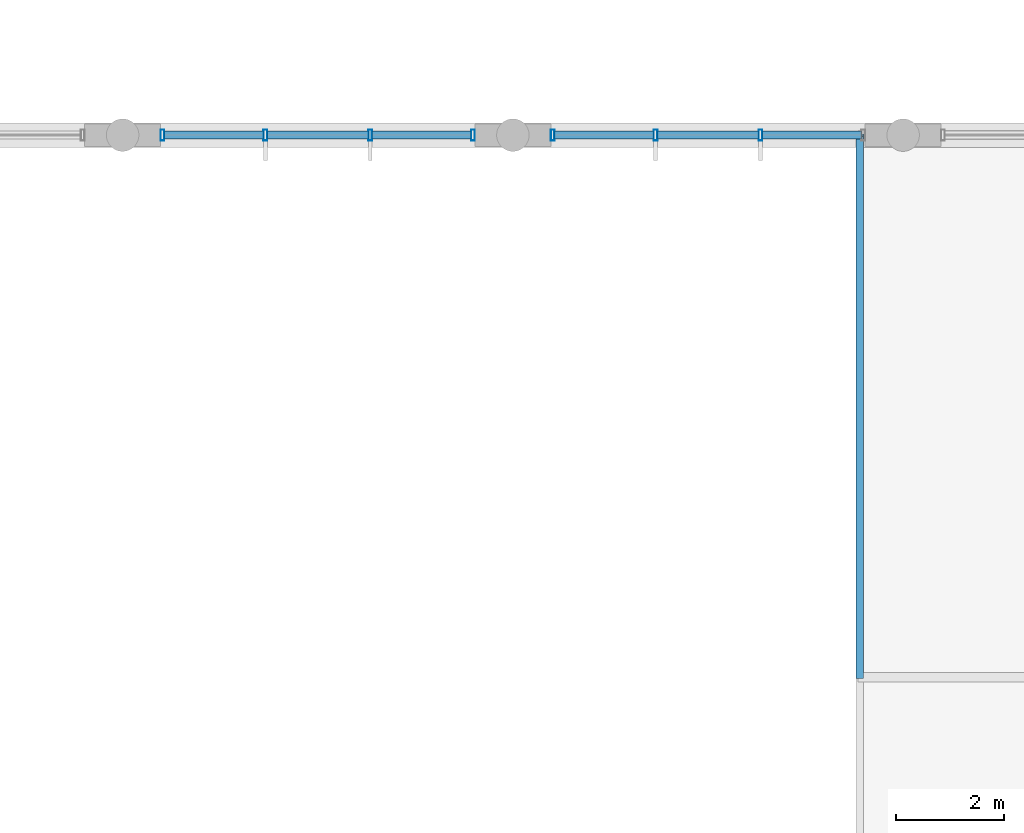
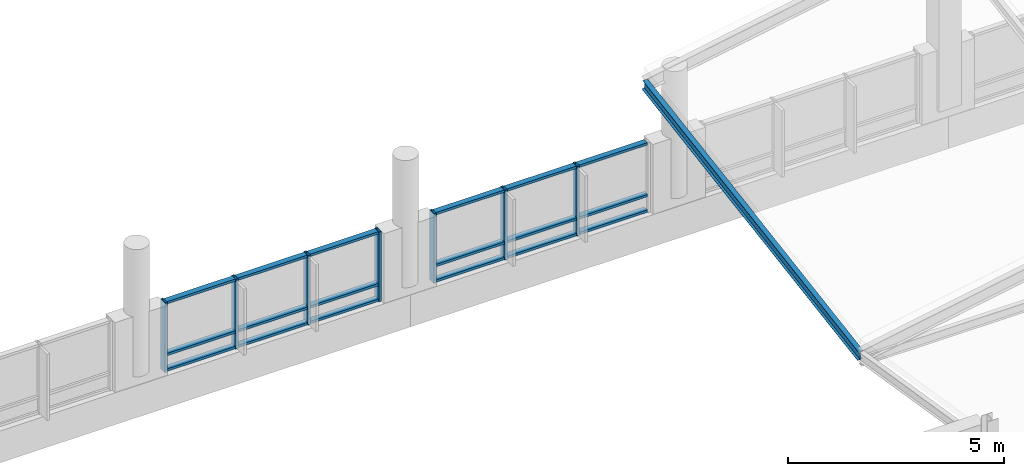
# One storey, part 47 of 189: 26 members, 2 elements without a shape of their own.
"""IFC4 building model written with IfcOpenShell, lengths in metres."""

from ifc_helpers import new_model, si_unit, direction, frame, origin, origin_2d, place, context, subcontext, project, spatial, hollow_rectangle, i_section, extrude, material, material_profile, profile_set, type_object, element, aggregate, save


model = new_model("IFC4")

# Units and contexts
model_context = context("Model", 3, precision=1e-05, world=origin(), true_north=direction((0.0, 1.0)))
body_context = subcontext(model_context, "Body", "Model", "MODEL_VIEW")
ifc_project = project(units=[si_unit("LENGTHUNIT", "METRE"), si_unit("AREAUNIT", "SQUARE_METRE"), si_unit("VOLUMEUNIT", "CUBIC_METRE"), si_unit("PLANEANGLEUNIT", "RADIAN"), si_unit("MASSUNIT", "GRAM", prefix="KILO")], contexts=[model_context])

# Site, building, storey
site_placement = place(None, origin())
site = spatial("IfcSite", under=ifc_project, at=site_placement, CompositionType="ELEMENT")
building_placement = place(site_placement, origin())
building = spatial("IfcBuilding", under=site, at=building_placement, Name="Zavelmont Quarter", CompositionType="ELEMENT")
storey_placement = place(building_placement, frame((0.0, 0.0, 4.39990234375)))
storey = spatial("IfcBuildingStorey", under=building, at=storey_placement, Name="L01", CompositionType="ELEMENT", Elevation=4.39990234375)

# Curtain wall, members
ifc_material_1 = material(Name="Thermally broken aluminium and double low-E safety glazing", Category="aluminium")
curtain_wall_type = type_object("IfcCurtainWallType", Name="CW-580X198", PredefinedType="NOTDEFINED", material=ifc_material_1)
curtain_wall_1_placement = place(storey_placement, origin())
curtain_wall_1 = element("IfcCurtainWall", 1, at=curtain_wall_1_placement, inside=storey, type_object=curtain_wall_type, Name="L01 unitised curtain wall CW-580X198", PredefinedType="NOTDEFINED")
ifc_material_2 = material(Name="Powder-coated aluminium EN AW-6063-T6", Category="aluminium")
ifc_material_profile_1 = material_profile(ifc_material_2, hollow_rectangle(XDim=0.070068359375, YDim=0.199951171875, WallThickness=0.0048828125, at=origin_2d()), Name="CWM70X200")
ifc_profile_set_1 = profile_set([ifc_material_profile_1], Name="Powder-coated aluminium EN AW-6063-T6")
member_type_1 = type_object("IfcMemberType", Name="CWM02", PredefinedType="MULLION", material=ifc_profile_set_1)
member_1_placement = place(storey_placement, frame((63.135009765625, 30.0, -0.27978515625), z_axis=(0.0, 0.0, 1.0), x_axis=(1.0, 0.0, 0.0)))
member_1 = element("IfcMember", 2, at=member_1_placement, type_object=member_type_1, Name="CW-580X198 mullion 1", PredefinedType="MULLION", context=body_context, shape_type="SweptSolid", body=[
    extrude(hollow_rectangle(XDim=0.070068359375, YDim=0.199951171875, WallThickness=0.0048828125, at=origin_2d()), origin(), (0.0, 0.0, 1.0), 1.974853515625),
])
member_2_placement = place(storey_placement, frame((65.033447265625, 30.0, -0.27978515625), z_axis=(0.0, 0.0, 1.0), x_axis=(1.0, 0.0, 0.0)))
member_2 = element("IfcMember", 3, at=member_2_placement, type_object=member_type_1, Name="CW-580X198 mullion 2", PredefinedType="MULLION", context=body_context, shape_type="SweptSolid", body=[
    extrude(hollow_rectangle(XDim=0.070068359375, YDim=0.199951171875, WallThickness=0.0048828125, at=origin_2d()), origin(), (0.0, 0.0, 1.0), 1.974853515625),
])
member_3_placement = place(storey_placement, frame((66.966552734375, 30.0, -0.27978515625), z_axis=(0.0, 0.0, 1.0), x_axis=(1.0, 0.0, 0.0)))
member_3 = element("IfcMember", 4, at=member_3_placement, type_object=member_type_1, Name="CW-580X198 mullion 3", PredefinedType="MULLION", context=body_context, shape_type="SweptSolid", body=[
    extrude(hollow_rectangle(XDim=0.070068359375, YDim=0.199951171875, WallThickness=0.0048828125, at=origin_2d()), origin(), (0.0, 0.0, 1.0), 1.974853515625),
])
member_4_placement = place(storey_placement, frame((68.864990234375, 30.0, -0.27978515625), z_axis=(0.0, 0.0, 1.0), x_axis=(1.0, 0.0, 0.0)))
member_4 = element("IfcMember", 5, at=member_4_placement, type_object=member_type_1, Name="CW-580X198 mullion 4", PredefinedType="MULLION", context=body_context, shape_type="SweptSolid", body=[
    extrude(hollow_rectangle(XDim=0.070068359375, YDim=0.199951171875, WallThickness=0.0048828125, at=origin_2d()), origin(), (0.0, 0.0, 1.0), 1.974853515625),
])

curtain_wall_2_placement = place(storey_placement, origin())
curtain_wall_2 = element("IfcCurtainWall", 6, at=curtain_wall_2_placement, inside=storey, type_object=curtain_wall_type, Name="L01 unitised curtain wall CW-580X198", PredefinedType="NOTDEFINED")
member_5_placement = place(storey_placement, frame((70.3349609375, 30.0, -0.27978515625), z_axis=(0.0, 0.0, 1.0), x_axis=(1.0, 0.0, 0.0)))
member_5 = element("IfcMember", 7, at=member_5_placement, type_object=member_type_1, Name="CW-580X198 mullion 1", PredefinedType="MULLION", context=body_context, shape_type="SweptSolid", body=[
    extrude(hollow_rectangle(XDim=0.070068359375, YDim=0.199951171875, WallThickness=0.0048828125, at=origin_2d()), origin(), (0.0, 0.0, 1.0), 1.974853515625),
])
member_6_placement = place(storey_placement, frame((72.2333984375, 30.0, -0.27978515625), z_axis=(0.0, 0.0, 1.0), x_axis=(1.0, 0.0, 0.0)))
member_6 = element("IfcMember", 8, at=member_6_placement, type_object=member_type_1, Name="CW-580X198 mullion 2", PredefinedType="MULLION", context=body_context, shape_type="SweptSolid", body=[
    extrude(hollow_rectangle(XDim=0.070068359375, YDim=0.199951171875, WallThickness=0.0048828125, at=origin_2d()), origin(), (0.0, 0.0, 1.0), 1.974853515625),
])
member_7_placement = place(storey_placement, frame((74.166748046875, 30.0, -0.27978515625), z_axis=(0.0, 0.0, 1.0), x_axis=(1.0, 0.0, 0.0)))
member_7 = element("IfcMember", 9, at=member_7_placement, type_object=member_type_1, Name="CW-580X198 mullion 3", PredefinedType="MULLION", context=body_context, shape_type="SweptSolid", body=[
    extrude(hollow_rectangle(XDim=0.070068359375, YDim=0.199951171875, WallThickness=0.0048828125, at=origin_2d()), origin(), (0.0, 0.0, 1.0), 1.974853515625),
])

# Member
ifc_material_profile_2 = material_profile(ifc_material_2, hollow_rectangle(XDim=0.14990234375, YDim=0.070068359375, WallThickness=0.00439453125, at=origin_2d()), Name="CWT70X150")
ifc_profile_set_2 = profile_set([ifc_material_profile_2], Name="Powder-coated aluminium EN AW-6063-T6")
member_type_2 = type_object("IfcMemberType", Name="CWT02", PredefinedType="NOTDEFINED", material=ifc_profile_set_2)
member_8_placement = place(storey_placement, frame((63.169921875, 30.0, -0.244873046875), z_axis=(1.0, 0.0, 0.0), x_axis=(0.0, 1.0, 0.0)))
member_8 = element("IfcMember", 10, at=member_8_placement, type_object=member_type_2, Name="CW-580X198 transom 1.1", ObjectType="TRANSOM", PredefinedType="USERDEFINED", context=body_context, shape_type="SweptSolid", body=[
    extrude(hollow_rectangle(XDim=0.14990234375, YDim=0.070068359375, WallThickness=0.00439453125, at=origin_2d()), origin(), (0.0, 0.0, 1.0), 1.828369140625),
])

member_9_placement = place(storey_placement, frame((63.169921875, 30.0, 0.194091796875), z_axis=(1.0, 0.0, 0.0), x_axis=(0.0, 1.0, 0.0)))
member_9 = element("IfcMember", 11, at=member_9_placement, type_object=member_type_2, Name="CW-580X198 transom 1.2", ObjectType="TRANSOM", PredefinedType="USERDEFINED", context=body_context, shape_type="SweptSolid", body=[
    extrude(hollow_rectangle(XDim=0.14990234375, YDim=0.070068359375, WallThickness=0.00439453125, at=origin_2d()), origin(), (0.0, 0.0, 1.0), 1.828369140625),
])

member_10_placement = place(storey_placement, frame((63.169921875, 30.0, 1.66015625), z_axis=(1.0, 0.0, 0.0), x_axis=(0.0, 1.0, 0.0)))
member_10 = element("IfcMember", 12, at=member_10_placement, type_object=member_type_2, Name="CW-580X198 transom 1.3", ObjectType="TRANSOM", PredefinedType="USERDEFINED", context=body_context, shape_type="SweptSolid", body=[
    extrude(hollow_rectangle(XDim=0.14990234375, YDim=0.070068359375, WallThickness=0.00439453125, at=origin_2d()), origin(), (0.0, 0.0, 1.0), 1.828369140625),
])

member_11_placement = place(storey_placement, frame((65.068359375, 30.0, -0.244873046875), z_axis=(1.0, 0.0, 0.0), x_axis=(0.0, 1.0, 0.0)))
member_11 = element("IfcMember", 13, at=member_11_placement, type_object=member_type_2, Name="CW-580X198 transom 2.1", ObjectType="TRANSOM", PredefinedType="USERDEFINED", context=body_context, shape_type="SweptSolid", body=[
    extrude(hollow_rectangle(XDim=0.14990234375, YDim=0.070068359375, WallThickness=0.00439453125, at=origin_2d()), origin(), (0.0, 0.0, 1.0), 1.86328125),
])

member_12_placement = place(storey_placement, frame((65.068359375, 30.0, 0.194091796875), z_axis=(1.0, 0.0, 0.0), x_axis=(0.0, 1.0, 0.0)))
member_12 = element("IfcMember", 14, at=member_12_placement, type_object=member_type_2, Name="CW-580X198 transom 2.2", ObjectType="TRANSOM", PredefinedType="USERDEFINED", context=body_context, shape_type="SweptSolid", body=[
    extrude(hollow_rectangle(XDim=0.14990234375, YDim=0.070068359375, WallThickness=0.00439453125, at=origin_2d()), origin(), (0.0, 0.0, 1.0), 1.86328125),
])

member_13_placement = place(storey_placement, frame((65.068359375, 30.0, 1.66015625), z_axis=(1.0, 0.0, 0.0), x_axis=(0.0, 1.0, 0.0)))
member_13 = element("IfcMember", 15, at=member_13_placement, type_object=member_type_2, Name="CW-580X198 transom 2.3", ObjectType="TRANSOM", PredefinedType="USERDEFINED", context=body_context, shape_type="SweptSolid", body=[
    extrude(hollow_rectangle(XDim=0.14990234375, YDim=0.070068359375, WallThickness=0.00439453125, at=origin_2d()), origin(), (0.0, 0.0, 1.0), 1.86328125),
])

member_14_placement = place(storey_placement, frame((67.001708984375, 30.0, -0.244873046875), z_axis=(1.0, 0.0, 0.0), x_axis=(0.0, 1.0, 0.0)))
member_14 = element("IfcMember", 16, at=member_14_placement, type_object=member_type_2, Name="CW-580X198 transom 3.1", ObjectType="TRANSOM", PredefinedType="USERDEFINED", context=body_context, shape_type="SweptSolid", body=[
    extrude(hollow_rectangle(XDim=0.14990234375, YDim=0.070068359375, WallThickness=0.00439453125, at=origin_2d()), origin(), (0.0, 0.0, 1.0), 1.828369140625),
])

member_15_placement = place(storey_placement, frame((67.001708984375, 30.0, 0.194091796875), z_axis=(1.0, 0.0, 0.0), x_axis=(0.0, 1.0, 0.0)))
member_15 = element("IfcMember", 17, at=member_15_placement, type_object=member_type_2, Name="CW-580X198 transom 3.2", ObjectType="TRANSOM", PredefinedType="USERDEFINED", context=body_context, shape_type="SweptSolid", body=[
    extrude(hollow_rectangle(XDim=0.14990234375, YDim=0.070068359375, WallThickness=0.00439453125, at=origin_2d()), origin(), (0.0, 0.0, 1.0), 1.828369140625),
])

member_16_placement = place(storey_placement, frame((67.001708984375, 30.0, 1.66015625), z_axis=(1.0, 0.0, 0.0), x_axis=(0.0, 1.0, 0.0)))
member_16 = element("IfcMember", 18, at=member_16_placement, type_object=member_type_2, Name="CW-580X198 transom 3.3", ObjectType="TRANSOM", PredefinedType="USERDEFINED", context=body_context, shape_type="SweptSolid", body=[
    extrude(hollow_rectangle(XDim=0.14990234375, YDim=0.070068359375, WallThickness=0.00439453125, at=origin_2d()), origin(), (0.0, 0.0, 1.0), 1.828369140625),
])

aggregate(curtain_wall_1, [member_1, member_2, member_3, member_4, member_8, member_9, member_10, member_11, member_12, member_13, member_14, member_15, member_16])

member_17_placement = place(storey_placement, frame((70.3701171875, 30.0, -0.244873046875), z_axis=(1.0, 0.0, 0.0), x_axis=(0.0, 1.0, 0.0)))
member_17 = element("IfcMember", 19, at=member_17_placement, type_object=member_type_2, Name="CW-580X198 transom 1.1", ObjectType="TRANSOM", PredefinedType="USERDEFINED", context=body_context, shape_type="SweptSolid", body=[
    extrude(hollow_rectangle(XDim=0.14990234375, YDim=0.070068359375, WallThickness=0.00439453125, at=origin_2d()), origin(), (0.0, 0.0, 1.0), 1.828125),
])

member_18_placement = place(storey_placement, frame((70.3701171875, 30.0, 0.194091796875), z_axis=(1.0, 0.0, 0.0), x_axis=(0.0, 1.0, 0.0)))
member_18 = element("IfcMember", 20, at=member_18_placement, type_object=member_type_2, Name="CW-580X198 transom 1.2", ObjectType="TRANSOM", PredefinedType="USERDEFINED", context=body_context, shape_type="SweptSolid", body=[
    extrude(hollow_rectangle(XDim=0.14990234375, YDim=0.070068359375, WallThickness=0.00439453125, at=origin_2d()), origin(), (0.0, 0.0, 1.0), 1.828125),
])

member_19_placement = place(storey_placement, frame((70.3701171875, 30.0, 1.66015625), z_axis=(1.0, 0.0, 0.0), x_axis=(0.0, 1.0, 0.0)))
member_19 = element("IfcMember", 21, at=member_19_placement, type_object=member_type_2, Name="CW-580X198 transom 1.3", ObjectType="TRANSOM", PredefinedType="USERDEFINED", context=body_context, shape_type="SweptSolid", body=[
    extrude(hollow_rectangle(XDim=0.14990234375, YDim=0.070068359375, WallThickness=0.00439453125, at=origin_2d()), origin(), (0.0, 0.0, 1.0), 1.828125),
])

member_20_placement = place(storey_placement, frame((72.268310546875, 30.0, -0.244873046875), z_axis=(1.0, 0.0, 0.0), x_axis=(0.0, 1.0, 0.0)))
member_20 = element("IfcMember", 22, at=member_20_placement, type_object=member_type_2, Name="CW-580X198 transom 2.1", ObjectType="TRANSOM", PredefinedType="USERDEFINED", context=body_context, shape_type="SweptSolid", body=[
    extrude(hollow_rectangle(XDim=0.14990234375, YDim=0.070068359375, WallThickness=0.00439453125, at=origin_2d()), origin(), (0.0, 0.0, 1.0), 1.86328125),
])

member_21_placement = place(storey_placement, frame((72.268310546875, 30.0, 0.194091796875), z_axis=(1.0, 0.0, 0.0), x_axis=(0.0, 1.0, 0.0)))
member_21 = element("IfcMember", 23, at=member_21_placement, type_object=member_type_2, Name="CW-580X198 transom 2.2", ObjectType="TRANSOM", PredefinedType="USERDEFINED", context=body_context, shape_type="SweptSolid", body=[
    extrude(hollow_rectangle(XDim=0.14990234375, YDim=0.070068359375, WallThickness=0.00439453125, at=origin_2d()), origin(), (0.0, 0.0, 1.0), 1.86328125),
])

member_22_placement = place(storey_placement, frame((72.268310546875, 30.0, 1.66015625), z_axis=(1.0, 0.0, 0.0), x_axis=(0.0, 1.0, 0.0)))
member_22 = element("IfcMember", 24, at=member_22_placement, type_object=member_type_2, Name="CW-580X198 transom 2.3", ObjectType="TRANSOM", PredefinedType="USERDEFINED", context=body_context, shape_type="SweptSolid", body=[
    extrude(hollow_rectangle(XDim=0.14990234375, YDim=0.070068359375, WallThickness=0.00439453125, at=origin_2d()), origin(), (0.0, 0.0, 1.0), 1.86328125),
])

member_23_placement = place(storey_placement, frame((74.20166015625, 30.0, -0.244873046875), z_axis=(1.0, 0.0, 0.0), x_axis=(0.0, 1.0, 0.0)))
member_23 = element("IfcMember", 25, at=member_23_placement, type_object=member_type_2, Name="CW-580X198 transom 3.1", ObjectType="TRANSOM", PredefinedType="USERDEFINED", context=body_context, shape_type="SweptSolid", body=[
    extrude(hollow_rectangle(XDim=0.14990234375, YDim=0.070068359375, WallThickness=0.00439453125, at=origin_2d()), origin(), (0.0, 0.0, 1.0), 1.828369140625),
])

member_24_placement = place(storey_placement, frame((74.20166015625, 30.0, 0.194091796875), z_axis=(1.0, 0.0, 0.0), x_axis=(0.0, 1.0, 0.0)))
member_24 = element("IfcMember", 26, at=member_24_placement, type_object=member_type_2, Name="CW-580X198 transom 3.2", ObjectType="TRANSOM", PredefinedType="USERDEFINED", context=body_context, shape_type="SweptSolid", body=[
    extrude(hollow_rectangle(XDim=0.14990234375, YDim=0.070068359375, WallThickness=0.00439453125, at=origin_2d()), origin(), (0.0, 0.0, 1.0), 1.828369140625),
])

member_25_placement = place(storey_placement, frame((74.20166015625, 30.0, 1.66015625), z_axis=(1.0, 0.0, 0.0), x_axis=(0.0, 1.0, 0.0)))
member_25 = element("IfcMember", 27, at=member_25_placement, type_object=member_type_2, Name="CW-580X198 transom 3.3", ObjectType="TRANSOM", PredefinedType="USERDEFINED", context=body_context, shape_type="SweptSolid", body=[
    extrude(hollow_rectangle(XDim=0.14990234375, YDim=0.070068359375, WallThickness=0.00439453125, at=origin_2d()), origin(), (0.0, 0.0, 1.0), 1.828369140625),
])

aggregate(curtain_wall_2, [member_5, member_6, member_7, member_17, member_18, member_19, member_20, member_21, member_22, member_23, member_24, member_25])

ifc_material_3 = material(Name="Steel S355", Category="steel")
ifc_material_profile_3 = material_profile(ifc_material_3, i_section(OverallWidth=0.135009765625, OverallDepth=0.27001953125, WebThickness=0.006591796875, FlangeThickness=0.01025390625, at=origin_2d()), Name="IPE 270")
ifc_profile_set_3 = profile_set([ifc_material_profile_3], Name="Steel S355")
member_type_3 = type_object("IfcMemberType", Name="PR01", PredefinedType="PURLIN", material=ifc_profile_set_3)
member_26_placement = place(storey_placement, frame((76.0, 20.0, 1.7001953125), z_axis=(0.0, 0.987132736639, 0.159902971377), x_axis=(-1.0, 0.0, 0.0)))
element("IfcMember", 28, at=member_26_placement, inside=storey, type_object=member_type_3, Name="L01 member PR01 12/D to 12/F", PredefinedType="PURLIN", context=body_context, shape_type="SweptSolid", body=[
    extrude(i_section(OverallWidth=0.135009765625, OverallDepth=0.27001953125, WebThickness=0.006591796875, FlangeThickness=0.01025390625, at=origin_2d()), origin(), (0.0, 0.0, 1.0), 10.13037109375),
])

save(model, "model.ifc")
